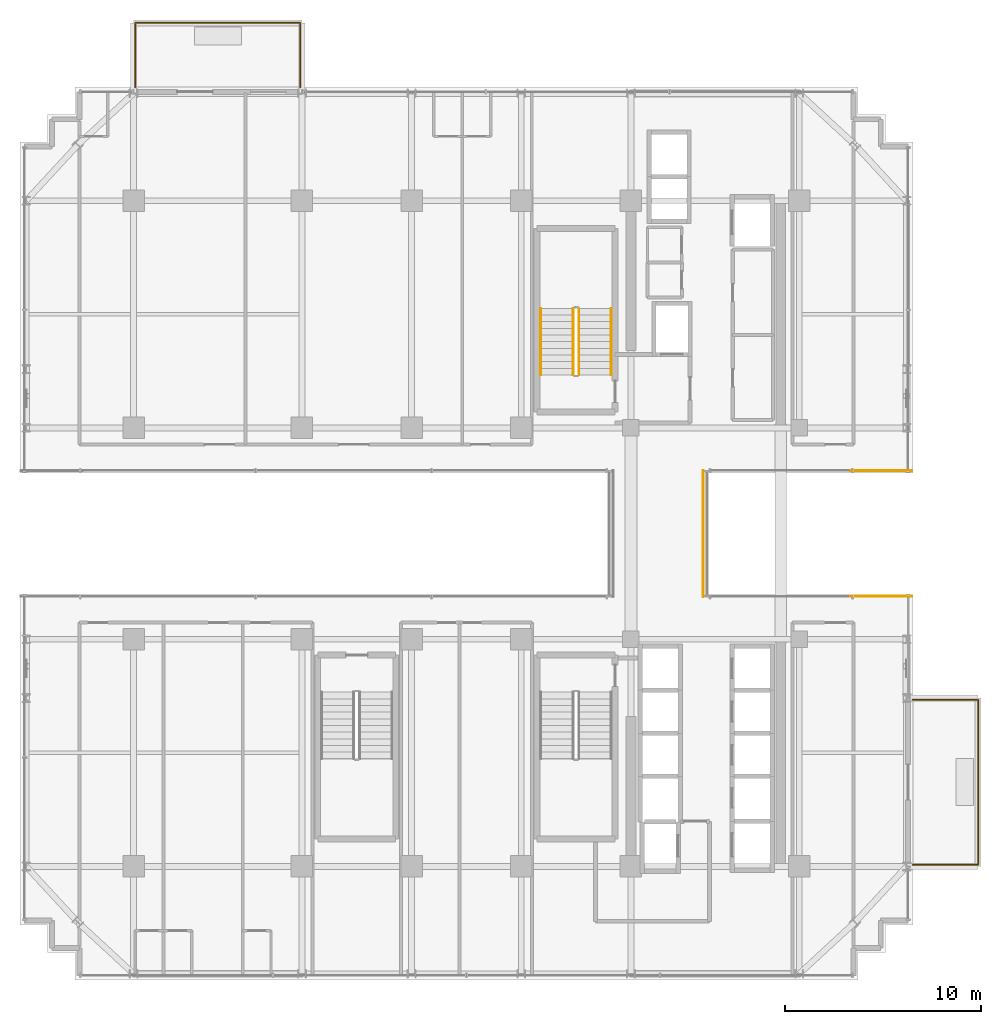
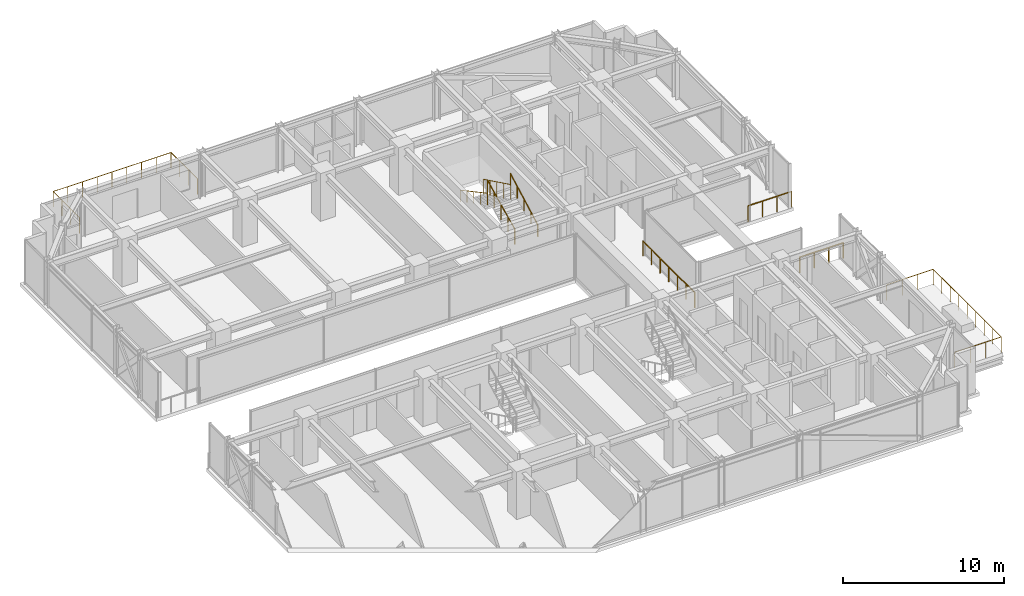
# One storey, part 34 of 36: 9 railings.
"""IFC4 building model written with IfcOpenShell, lengths in metres."""

import ifcopenshell
import ifcopenshell.guid

model = None  # the IFC model being written
_history = None  # IfcOwnerHistory: only IFC2X3 demands one
_inside = {}  # id of a spatial element -> (the spatial element, [elements in it])
_under = {}  # id of a project, library or spatial element -> (it, [spatial elements below it])
_declared = {}  # id of a project -> (the project, [libraries it declares])
_typed = {}  # id of a type object -> (the type object, [elements of that type])
_made_of = {}  # id of a material, layer set ... -> (it, [elements and type objects made of it])


def new_model(schema):
    """Start an empty IFC model of exactly this schema.

    Asked for "IFC4X3", IfcOpenShell would pick the latest addendum, in which some entities
    have other attributes; the version numbers below select the first issue.
    IFC2X3 requires an IfcOwnerHistory on every rooted entity: one is made here for all.
    """
    global model, _history
    if schema == "IFC4X3":
        model = ifcopenshell.file(schema_version=(4, 3, 0, 0))
    else:
        model = ifcopenshell.file(schema=schema)
    _inside.clear()
    _under.clear()
    _declared.clear()
    _typed.clear()
    _made_of.clear()
    _history = None
    if model.schema == "IFC2X3":
        org = make("IfcOrganization", Name="unknown")
        user = make(
            "IfcPersonAndOrganization",
            ThePerson=make("IfcPerson", FamilyName="unknown"),
            TheOrganization=org,
        )
        app = make(
            "IfcApplication",
            ApplicationDeveloper=org,
            Version="unknown",
            ApplicationFullName="unknown",
            ApplicationIdentifier="unknown",
        )
        _history = make(
            "IfcOwnerHistory",
            OwningUser=user,
            OwningApplication=app,
            ChangeAction="ADDED",
            CreationDate=0,
        )
    return model


def make(cls, **values):
    """One entity of the class cls with the attributes given. An attribute that is None is left unset."""
    return model.create_entity(
        cls, **{name: value for name, value in values.items() if value is not None}
    )


def rooted(cls, **values):
    """An entity with a GlobalId (a new one), such as an element, a storey or a relation."""
    return make(cls, GlobalId=ifcopenshell.guid.new(), OwnerHistory=_history, **values)


def si_unit(unit_type, name, prefix=None):
    """IfcSIUnit, for example si_unit("LENGTHUNIT", "METRE", prefix="MILLI")."""
    return make("IfcSIUnit", UnitType=unit_type, Prefix=prefix, Name=name)


def assignment(units):
    """IfcUnitAssignment: the units of a project."""
    return None if units is None else make("IfcUnitAssignment", Units=units)


def point(xyz):
    """IfcCartesianPoint."""
    return None if xyz is None else make("IfcCartesianPoint", Coordinates=xyz)


def direction(xyz):
    """IfcDirection."""
    return None if xyz is None else make("IfcDirection", DirectionRatios=xyz)


def frame(location, z_axis=None, x_axis=None):
    """IfcAxis2Placement3D, a coordinate frame: its origin and axes. An axis left out is left unset."""
    return make(
        "IfcAxis2Placement3D",
        Location=point(location),
        Axis=direction(z_axis),
        RefDirection=direction(x_axis),
    )


def frame_2d(location, x_axis=None):
    """IfcAxis2Placement2D, a coordinate frame in the plane: its origin and x axis."""
    return make(
        "IfcAxis2Placement2D", Location=point(location), RefDirection=direction(x_axis)
    )


def origin():
    """The frame at (0, 0, 0) with its axes left unset."""
    return frame((0.0, 0.0, 0.0))


def origin_2d():
    """The frame at (0, 0) in the plane with its x axis left unset."""
    return frame_2d((0.0, 0.0))


def place(relative_to, where):
    """IfcLocalPlacement: puts the frame where relative to a parent placement (None: the world)."""
    return make(
        "IfcLocalPlacement", PlacementRelTo=relative_to, RelativePlacement=where
    )


def context(
    kind, dimensions, precision=None, world=None, true_north=None, identifier=None
):
    """IfcGeometricRepresentationContext, for example the 3D "Model" context."""
    return make(
        "IfcGeometricRepresentationContext",
        ContextIdentifier=identifier,
        ContextType=kind,
        CoordinateSpaceDimension=dimensions,
        Precision=precision,
        WorldCoordinateSystem=world,
        TrueNorth=true_north,
    )


def subcontext(parent, identifier, kind, view, scale=None):
    """IfcGeometricRepresentationSubContext, for example "Body" below "Model"."""
    return make(
        "IfcGeometricRepresentationSubContext",
        ContextIdentifier=identifier,
        ContextType=kind,
        ParentContext=parent,
        TargetScale=scale,
        TargetView=view,
    )


def project(units=None, contexts=None):
    """IfcProject with its units and contexts."""
    return rooted(
        "IfcProject",
        Name="project",
        RepresentationContexts=contexts,
        UnitsInContext=assignment(units),
    )


def spatial(cls, under=None, at=None, **own):
    """A site, building, storey or space (cls), placed at a placement, below another one or the project."""
    s = rooted(cls, ObjectPlacement=at, **own)
    if under is not None:
        _under.setdefault(under.id(), (under, []))[1].append(s)
    return s


def profile(cls, at=None, kind="AREA", **sizes):
    """A parametric profile (cls). Its sizes go by their IFC names, for example OverallWidth=200.0."""
    return make(cls, ProfileType=kind, Position=at, **sizes)


def circle(**sizes):
    """IfcCircleProfileDef."""
    return profile("IfcCircleProfileDef", **sizes)


def extrude(swept, where, along, depth):
    """IfcExtrudedAreaSolid: the profile swept, set in the frame where, extruded along a direction by depth."""
    return make(
        "IfcExtrudedAreaSolid",
        SweptArea=swept,
        Position=where,
        ExtrudedDirection=direction(along),
        Depth=depth,
    )


def shape(context_of_items, identifier, shape_type, items):
    """IfcShapeRepresentation: the items that make up one representation, for example the "Body"."""
    return make(
        "IfcShapeRepresentation",
        ContextOfItems=context_of_items,
        RepresentationIdentifier=identifier,
        RepresentationType=shape_type,
        Items=items,
    )


def material(Name=None, Category=None):
    """IfcMaterial."""
    return make("IfcMaterial", Name=Name, Category=Category)


def made_of(thing, what):
    """Note that an element or type object is made of a material, layer set ...; save() writes the relation."""
    if what is not None:
        _made_of.setdefault(what.id(), (what, []))[1].append(thing)
    return thing


def type_object(cls, material=None, **own):
    """A type object (cls), such as IfcWallType, which elements share."""
    return made_of(rooted(cls, **own), material)


def element(
    cls,
    number,
    at=None,
    inside=None,
    cuts=None,
    type_object=None,
    material=None,
    context=None,
    identifier="Body",
    shape_type=None,
    held_by="IfcProductDefinitionShape",
    body=None,
    shapes=None,
    **own,
):
    """One element of the class cls, such as IfcWall. Its Tag is "e" and its number.

    at: its placement. inside: the storey or other place that contains it. cuts: it is an
    opening in that element (IfcRelVoidsElement). A single representation is given by context,
    identifier, shape_type and body (its items); several are given by shapes. held_by: the class
    of the entity that holds the representations. save() writes the other relations.
    """
    e = rooted(cls, Tag="e%d" % number, ObjectPlacement=at, **own)
    if body is not None:
        shapes = [shape(context, identifier, shape_type, body)]
    if shapes is not None:
        e.Representation = make(held_by, Representations=shapes)
    if inside is not None:
        _inside.setdefault(inside.id(), (inside, []))[1].append(e)
    if cuts is not None:
        rooted(
            "IfcRelVoidsElement", RelatingBuildingElement=cuts, RelatedOpeningElement=e
        )
    if type_object is not None:
        _typed.setdefault(type_object.id(), (type_object, []))[1].append(e)
    return made_of(e, material)


def aggregate(whole, parts):
    """IfcRelAggregates: a whole, such as a stair, and the parts it consists of."""
    return rooted("IfcRelAggregates", RelatingObject=whole, RelatedObjects=parts)


def save(model, path):
    """Write the relations noted so far, then the file.

    IfcRelAggregates (storeys below a building ...), IfcRelContainedInSpatialStructure (elements
    in a storey), IfcRelDefinesByType, IfcRelAssociatesMaterial and IfcRelDeclares: one each for
    every whole, place, type object, material and project.
    """
    for whole, parts in _under.values():
        aggregate(whole, parts)
    for where, things in _inside.values():
        rooted(
            "IfcRelContainedInSpatialStructure",
            RelatedElements=things,
            RelatingStructure=where,
        )
    for kind, things in _typed.values():
        rooted("IfcRelDefinesByType", RelatedObjects=things, RelatingType=kind)
    for what, things in _made_of.values():
        rooted("IfcRelAssociatesMaterial", RelatedObjects=things, RelatingMaterial=what)
    for by, libraries in _declared.values():
        rooted("IfcRelDeclares", RelatingContext=by, RelatedDefinitions=libraries)
    model.write(path)


model = new_model("IFC4")

# Units and contexts
model_context = context("Model", 3, precision=1e-05, world=origin(), true_north=direction((0.0, 1.0)))
body_context = subcontext(model_context, "Body", "Model", "MODEL_VIEW")
ifc_project = project(units=[si_unit("LENGTHUNIT", "METRE"), si_unit("AREAUNIT", "SQUARE_METRE"), si_unit("VOLUMEUNIT", "CUBIC_METRE"), si_unit("PLANEANGLEUNIT", "RADIAN"), si_unit("MASSUNIT", "GRAM", prefix="KILO")], contexts=[model_context])

# Site, building, storey
site_placement = place(None, origin())
site = spatial("IfcSite", under=ifc_project, at=site_placement, CompositionType="ELEMENT")
building_placement = place(site_placement, origin())
building = spatial("IfcBuilding", under=site, at=building_placement, Name="Nahalor Promenade Grand Hotel", CompositionType="ELEMENT")
storey_placement = place(building_placement, frame((0.0, 0.0, 174.550048828125)))
storey = spatial("IfcBuildingStorey", under=building, at=storey_placement, Name="L44", CompositionType="ELEMENT", Elevation=174.550048828125)

# Railings
ifc_material_1 = material(Name="Anodised Bronze Aluminium EN AW-6063 T6", Category="aluminium")
railing_type_1 = type_object("IfcRailingType", Name="Bronze Balcony Guardrail 1200 mm", PredefinedType="GUARDRAIL", material=ifc_material_1)
for number, where, name in (
    (1, (19.6201171875, -3.199951171875, 0.0), "L44 Oculus Void Edge Guardrail ES"),
    (2, (19.6201171875, 3.199951171875, 0.0), "L44 Oculus Void Edge Guardrail EN"),
):
    element("IfcRailing", number, at=place(storey_placement, frame(where)), inside=storey, type_object=railing_type_1, Name=name, PredefinedType="GUARDRAIL", context=body_context, shape_type="SweptSolid", body=[
        extrude(circle(Radius=0.024048, at=origin_2d()), frame((0.0, 0.0, 1.17578125), z_axis=(1.0, 0.0, 0.0), x_axis=(0.0, 1.0, 0.0)), (0.0, 0.0, 1.0), 3.119873046875),
        extrude(circle(Radius=0.020996, at=origin_2d()), origin(), (0.0, 0.0, 1.0), 1.14990234375),
        extrude(circle(Radius=0.020996, at=origin_2d()), frame((1.0400390625, 0.0, 0.0)), (0.0, 0.0, 1.0), 1.14990234375),
        extrude(circle(Radius=0.020996, at=origin_2d()), frame((2.079833984375, 0.0, 0.0)), (0.0, 0.0, 1.0), 1.14990234375),
        extrude(circle(Radius=0.020996, at=origin_2d()), frame((3.119873046875, 0.0, 0.0)), (0.0, 0.0, 1.0), 1.14990234375),
    ])
railing_1_placement = place(storey_placement, frame((-16.919921875, 22.800048828125, 0.0)))
element("IfcRailing", 3, at=railing_1_placement, inside=storey, type_object=railing_type_1, Name="L44 Balcony Guardrail 1", PredefinedType="GUARDRAIL", context=body_context, shape_type="SweptSolid", body=[
    extrude(circle(Radius=0.024048, at=origin_2d()), frame((0.0, 0.0, 1.17578125), z_axis=(0.0, 1.0, 0.0), x_axis=(-1.0, 0.0, 0.0)), (0.0, 0.0, 1.0), 3.278076171875),
    extrude(circle(Radius=0.024048, at=origin_2d()), frame((0.001953125, 3.280029296875, 1.17578125), z_axis=(1.0, 0.0, 0.0), x_axis=(0.0, 1.0, 0.0)), (0.0, 0.0, 1.0), 8.43603515625),
    extrude(circle(Radius=0.024048, at=origin_2d()), frame((8.43994140625, 3.278076171875, 1.17578125), z_axis=(0.0, -1.0, 0.0), x_axis=(1.0, 0.0, 0.0)), (0.0, 0.0, 1.0), 3.278076171875),
    extrude(circle(Radius=0.020996, at=origin_2d()), origin(), (0.0, 0.0, 1.0), 1.14990234375),
    extrude(circle(Radius=0.020996, at=origin_2d()), frame((0.0, 1.09326171875, 0.0)), (0.0, 0.0, 1.0), 1.14990234375),
    extrude(circle(Radius=0.020996, at=origin_2d()), frame((0.0, 2.186767578125, 0.0)), (0.0, 0.0, 1.0), 1.14990234375),
    extrude(circle(Radius=0.020996, at=origin_2d()), frame((0.0, 3.280029296875, 0.0)), (0.0, 0.0, 1.0), 1.14990234375),
    extrude(circle(Radius=0.020996, at=origin_2d()), frame((1.054931640625, 3.280029296875, 0.0)), (0.0, 0.0, 1.0), 1.14990234375),
    extrude(circle(Radius=0.020996, at=origin_2d()), frame((2.10986328125, 3.280029296875, 0.0)), (0.0, 0.0, 1.0), 1.14990234375),
    extrude(circle(Radius=0.020996, at=origin_2d()), frame((3.1650390625, 3.280029296875, 0.0)), (0.0, 0.0, 1.0), 1.14990234375),
    extrude(circle(Radius=0.020996, at=origin_2d()), frame((4.219970703125, 3.280029296875, 0.0)), (0.0, 0.0, 1.0), 1.14990234375),
    extrude(circle(Radius=0.020996, at=origin_2d()), frame((5.27490234375, 3.280029296875, 0.0)), (0.0, 0.0, 1.0), 1.14990234375),
    extrude(circle(Radius=0.020996, at=origin_2d()), frame((6.330078125, 3.280029296875, 0.0)), (0.0, 0.0, 1.0), 1.14990234375),
    extrude(circle(Radius=0.020996, at=origin_2d()), frame((7.385009765625, 3.280029296875, 0.0)), (0.0, 0.0, 1.0), 1.14990234375),
    extrude(circle(Radius=0.020996, at=origin_2d()), frame((8.43994140625, 3.280029296875, 0.0)), (0.0, 0.0, 1.0), 1.14990234375),
    extrude(circle(Radius=0.020996, at=origin_2d()), frame((8.43994140625, 2.186767578125, 0.0)), (0.0, 0.0, 1.0), 1.14990234375),
    extrude(circle(Radius=0.020996, at=origin_2d()), frame((8.43994140625, 1.09326171875, 0.0)), (0.0, 0.0, 1.0), 1.14990234375),
    extrude(circle(Radius=0.020996, at=origin_2d()), frame((8.43994140625, 0.0, 0.0)), (0.0, 0.0, 1.0), 1.14990234375),
])
railing_2_placement = place(storey_placement, frame((22.800048828125, -16.919921875, 0.0)))
element("IfcRailing", 4, at=railing_2_placement, inside=storey, type_object=railing_type_1, Name="L44 Balcony Guardrail 2", PredefinedType="GUARDRAIL", context=body_context, shape_type="SweptSolid", body=[
    extrude(circle(Radius=0.024048, at=origin_2d()), frame((0.0, 0.0, 1.17578125), z_axis=(1.0, 0.0, 0.0), x_axis=(0.0, 1.0, 0.0)), (0.0, 0.0, 1.0), 3.327880859375),
    extrude(circle(Radius=0.024048, at=origin_2d()), frame((3.329833984375, 0.001953125, 1.17578125), z_axis=(0.0, 1.0, 0.0), x_axis=(-1.0, 0.0, 0.0)), (0.0, 0.0, 1.0), 8.43603515625),
    extrude(circle(Radius=0.024048, at=origin_2d()), frame((3.327880859375, 8.43994140625, 1.17578125), z_axis=(-1.0, 0.0, 0.0), x_axis=(0.0, -1.0, 0.0)), (0.0, 0.0, 1.0), 3.327880859375),
    extrude(circle(Radius=0.020996, at=origin_2d()), origin(), (0.0, 0.0, 1.0), 1.14990234375),
    extrude(circle(Radius=0.020996, at=origin_2d()), frame((1.10986328125, 0.0, 0.0)), (0.0, 0.0, 1.0), 1.14990234375),
    extrude(circle(Radius=0.020996, at=origin_2d()), frame((2.219970703125, 0.0, 0.0)), (0.0, 0.0, 1.0), 1.14990234375),
    extrude(circle(Radius=0.020996, at=origin_2d()), frame((3.329833984375, 0.0, 0.0)), (0.0, 0.0, 1.0), 1.14990234375),
    extrude(circle(Radius=0.020996, at=origin_2d()), frame((3.329833984375, 1.054931640625, 0.0)), (0.0, 0.0, 1.0), 1.14990234375),
    extrude(circle(Radius=0.020996, at=origin_2d()), frame((3.329833984375, 2.10986328125, 0.0)), (0.0, 0.0, 1.0), 1.14990234375),
    extrude(circle(Radius=0.020996, at=origin_2d()), frame((3.329833984375, 3.1650390625, 0.0)), (0.0, 0.0, 1.0), 1.14990234375),
    extrude(circle(Radius=0.020996, at=origin_2d()), frame((3.329833984375, 4.219970703125, 0.0)), (0.0, 0.0, 1.0), 1.14990234375),
    extrude(circle(Radius=0.020996, at=origin_2d()), frame((3.329833984375, 5.27490234375, 0.0)), (0.0, 0.0, 1.0), 1.14990234375),
    extrude(circle(Radius=0.020996, at=origin_2d()), frame((3.329833984375, 6.330078125, 0.0)), (0.0, 0.0, 1.0), 1.14990234375),
    extrude(circle(Radius=0.020996, at=origin_2d()), frame((3.329833984375, 7.385009765625, 0.0)), (0.0, 0.0, 1.0), 1.14990234375),
    extrude(circle(Radius=0.020996, at=origin_2d()), frame((3.329833984375, 8.43994140625, 0.0)), (0.0, 0.0, 1.0), 1.14990234375),
    extrude(circle(Radius=0.020996, at=origin_2d()), frame((2.219970703125, 8.43994140625, 0.0)), (0.0, 0.0, 1.0), 1.14990234375),
    extrude(circle(Radius=0.020996, at=origin_2d()), frame((1.10986328125, 8.43994140625, 0.0)), (0.0, 0.0, 1.0), 1.14990234375),
    extrude(circle(Radius=0.020996, at=origin_2d()), frame((0.0, 8.43994140625, 0.0)), (0.0, 0.0, 1.0), 1.14990234375),
])
railing_type_2 = type_object("IfcRailingType", Name="Bronze Sky Balustrade 1150 mm", PredefinedType="BALUSTRADE", material=ifc_material_1)
railing_3_placement = place(storey_placement, frame((12.10009765625, -3.219970703125, 0.0)))
element("IfcRailing", 5, at=railing_3_placement, inside=storey, type_object=railing_type_2, Name="BL-L44-BRG-E", PredefinedType="BALUSTRADE", context=body_context, shape_type="SweptSolid", body=[
    extrude(circle(Radius=0.024048, at=origin_2d()), frame((0.0, 0.0, 1.1259765625), z_axis=(0.0, 1.0, 0.0), x_axis=(-1.0, 0.0, 0.0)), (0.0, 0.0, 1.0), 6.43994140625),
    extrude(circle(Radius=0.020996, at=origin_2d()), origin(), (0.0, 0.0, 1.0), 1.099853515625),
    extrude(circle(Radius=0.020996, at=origin_2d()), frame((0.0, 1.0732421875, 0.0)), (0.0, 0.0, 1.0), 1.099853515625),
    extrude(circle(Radius=0.020996, at=origin_2d()), frame((0.0, 2.146728515625, 0.0)), (0.0, 0.0, 1.0), 1.099853515625),
    extrude(circle(Radius=0.020996, at=origin_2d()), frame((0.0, 3.219970703125, 0.0)), (0.0, 0.0, 1.0), 1.099853515625),
    extrude(circle(Radius=0.020996, at=origin_2d()), frame((0.0, 4.293212890625, 0.0)), (0.0, 0.0, 1.0), 1.099853515625),
    extrude(circle(Radius=0.020996, at=origin_2d()), frame((0.0, 5.36669921875, 0.0)), (0.0, 0.0, 1.0), 1.099853515625),
    extrude(circle(Radius=0.020996, at=origin_2d()), frame((0.0, 6.43994140625, 0.0)), (0.0, 0.0, 1.0), 1.099853515625),
])
ifc_material_2 = material(Name="Steel S355JR", Category="steel")
railing_type_3 = type_object("IfcRailingType", Name="Steel Stair Guardrail 1150 mm", PredefinedType="GUARDRAIL", material=ifc_material_2)
railing_4_placement = place(storey_placement, frame((5.75, 8.10009765625, 0.165771484375)))
element("IfcRailing", 6, at=railing_4_placement, inside=storey, type_object=railing_type_3, Name="L44 ST1 stair guard 1", PredefinedType="GUARDRAIL", context=body_context, shape_type="SweptSolid", body=[
    extrude(circle(Radius=0.024048, at=origin_2d()), frame((0.0, 0.0, 1.1259765625), z_axis=(0.0, 0.898696488221, 0.438571114028), x_axis=(-1.0, 0.0, 0.0)), (0.0, 0.0, 1.0), 3.783203125),
    extrude(circle(Radius=0.020996, at=origin_2d()), origin(), (0.0, 0.0, 1.0), 1.099853515625),
    extrude(circle(Radius=0.020996, at=origin_2d()), frame((0.0, 0.85009765625, 0.414794921875)), (0.0, 0.0, 1.0), 1.099853515625),
    extrude(circle(Radius=0.020996, at=origin_2d()), frame((0.0, 1.699951171875, 0.82958984375)), (0.0, 0.0, 1.0), 1.099853515625),
    extrude(circle(Radius=0.020996, at=origin_2d()), frame((0.0, 2.5498046875, 1.244384765625)), (0.0, 0.0, 1.0), 1.099853515625),
    extrude(circle(Radius=0.020996, at=origin_2d()), frame((0.0, 3.39990234375, 1.6591796875)), (0.0, 0.0, 1.0), 1.099853515625),
])
railing_5_placement = place(storey_placement, frame((5.449951171875, 11.5, 1.990966796875)))
element("IfcRailing", 7, at=railing_5_placement, inside=storey, type_object=railing_type_3, Name="L44 ST1 stair guard 3", PredefinedType="GUARDRAIL", context=body_context, shape_type="SweptSolid", body=[
    extrude(circle(Radius=0.024048, at=origin_2d()), frame((0.0, 0.0, 1.1259765625), z_axis=(0.0, -0.898721922897, 0.438518990814), x_axis=(1.0, 0.0, 0.0)), (0.0, 0.0, 1.0), 3.782958984375),
    extrude(circle(Radius=0.020996, at=origin_2d()), origin(), (0.0, 0.0, 1.0), 1.099853515625),
    extrude(circle(Radius=0.020996, at=origin_2d()), frame((0.0, -0.85009765625, 0.414794921875)), (0.0, 0.0, 1.0), 1.099853515625),
    extrude(circle(Radius=0.020996, at=origin_2d()), frame((0.0, -1.699951171875, 0.82958984375)), (0.0, 0.0, 1.0), 1.099853515625),
    extrude(circle(Radius=0.020996, at=origin_2d()), frame((0.0, -2.5498046875, 1.244140625)), (0.0, 0.0, 1.0), 1.099853515625),
    extrude(circle(Radius=0.020996, at=origin_2d()), frame((0.0, -3.39990234375, 1.658935546875)), (0.0, 0.0, 1.0), 1.099853515625),
])
railing_type_4 = type_object("IfcRailingType", Name="Steel Stair Handrail 900 mm", PredefinedType="HANDRAIL", material=ifc_material_2)
railing_6_placement = place(storey_placement, frame((7.39990234375, 8.10009765625, 0.165771484375)))
element("IfcRailing", 8, at=railing_6_placement, inside=storey, type_object=railing_type_4, Name="L44 ST1 stair handrail 1", PredefinedType="HANDRAIL", context=body_context, shape_type="SweptSolid", body=[
    extrude(circle(Radius=0.024048, at=origin_2d()), frame((0.0, 0.0, 0.8759765625), z_axis=(0.0, 0.881067672671, 0.472990228413), x_axis=(-1.0, 0.0, 0.0)), (0.0, 0.0, 1.0), 3.85888671875),
    extrude(circle(Radius=0.020996, at=origin_2d()), origin(), (0.0, 0.0, 1.0), 0.849853515625),
    extrude(circle(Radius=0.020996, at=origin_2d()), frame((0.0, 0.85009765625, 0.456298828125)), (0.0, 0.0, 1.0), 0.849853515625),
    extrude(circle(Radius=0.020996, at=origin_2d()), frame((0.0, 1.699951171875, 0.91259765625)), (0.0, 0.0, 1.0), 0.849853515625),
    extrude(circle(Radius=0.020996, at=origin_2d()), frame((0.0, 2.5498046875, 1.368896484375)), (0.0, 0.0, 1.0), 0.849853515625),
    extrude(circle(Radius=0.020996, at=origin_2d()), frame((0.0, 3.39990234375, 1.8251953125)), (0.0, 0.0, 1.0), 0.849853515625),
])
railing_7_placement = place(storey_placement, frame((3.800048828125, 11.5, 1.990966796875)))
element("IfcRailing", 9, at=railing_7_placement, inside=storey, type_object=railing_type_4, Name="L44 ST1 stair handrail 2", PredefinedType="HANDRAIL", context=body_context, shape_type="SweptSolid", body=[
    extrude(circle(Radius=0.024048, at=origin_2d()), frame((0.0, 0.0, 0.8759765625), z_axis=(0.0, -0.881094038095, 0.47294111265), x_axis=(1.0, 0.0, 0.0)), (0.0, 0.0, 1.0), 3.858642578125),
    extrude(circle(Radius=0.020996, at=origin_2d()), origin(), (0.0, 0.0, 1.0), 0.849853515625),
    extrude(circle(Radius=0.020996, at=origin_2d()), frame((0.0, -0.85009765625, 0.456298828125)), (0.0, 0.0, 1.0), 0.849853515625),
    extrude(circle(Radius=0.020996, at=origin_2d()), frame((0.0, -1.699951171875, 0.91259765625)), (0.0, 0.0, 1.0), 0.849853515625),
    extrude(circle(Radius=0.020996, at=origin_2d()), frame((0.0, -2.5498046875, 1.36865234375)), (0.0, 0.0, 1.0), 0.849853515625),
    extrude(circle(Radius=0.020996, at=origin_2d()), frame((0.0, -3.39990234375, 1.824951171875)), (0.0, 0.0, 1.0), 0.849853515625),
])

save(model, "model.ifc")
